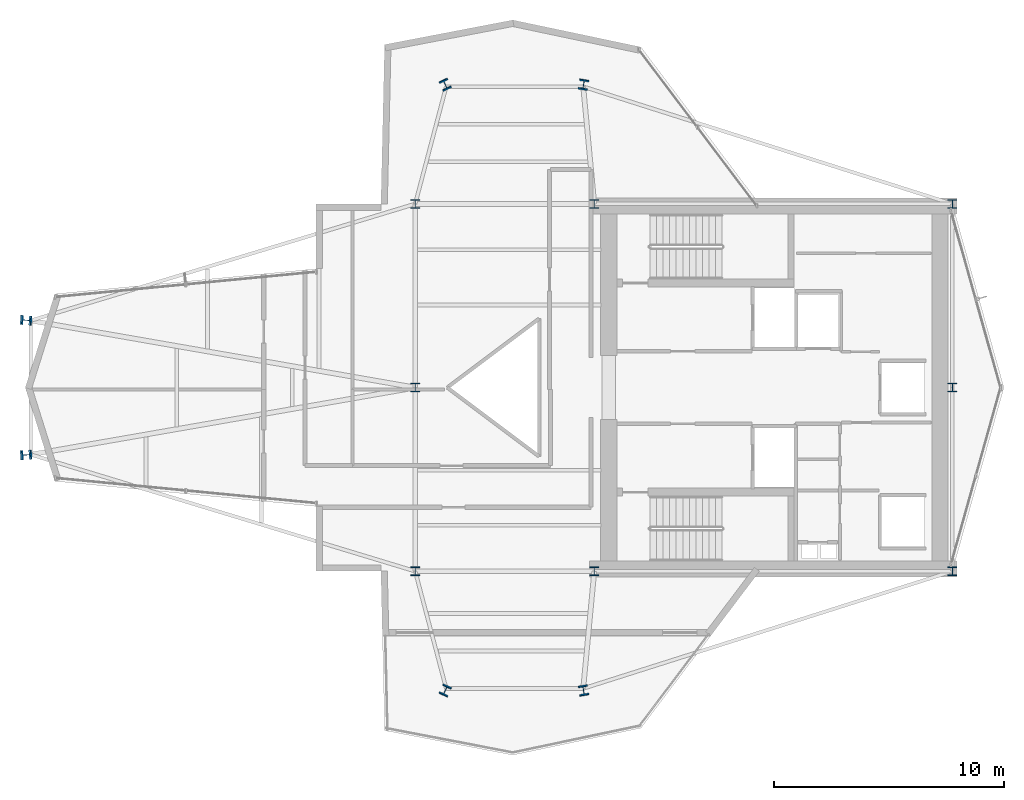
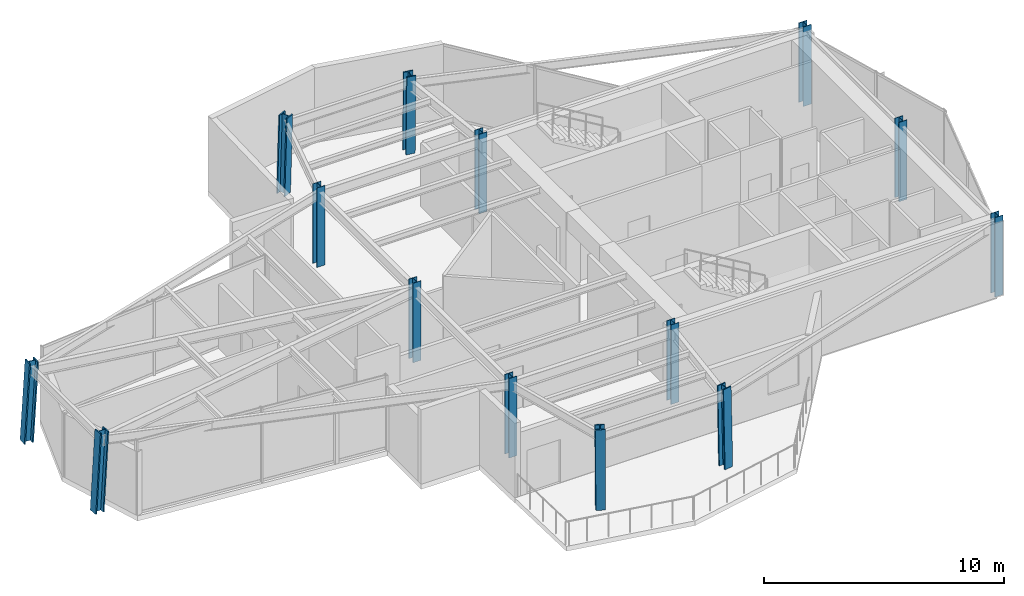
# One storey, part 1 of 21: 14 columns.
"""IFC4 building model written with IfcOpenShell, lengths in metres."""

import ifcopenshell
import ifcopenshell.guid

model = None  # the IFC model being written
_history = None  # IfcOwnerHistory: only IFC2X3 demands one
_inside = {}  # id of a spatial element -> (the spatial element, [elements in it])
_under = {}  # id of a project, library or spatial element -> (it, [spatial elements below it])
_declared = {}  # id of a project -> (the project, [libraries it declares])
_typed = {}  # id of a type object -> (the type object, [elements of that type])
_made_of = {}  # id of a material, layer set ... -> (it, [elements and type objects made of it])


def new_model(schema):
    """Start an empty IFC model of exactly this schema.

    Asked for "IFC4X3", IfcOpenShell would pick the latest addendum, in which some entities
    have other attributes; the version numbers below select the first issue.
    IFC2X3 requires an IfcOwnerHistory on every rooted entity: one is made here for all.
    """
    global model, _history
    if schema == "IFC4X3":
        model = ifcopenshell.file(schema_version=(4, 3, 0, 0))
    else:
        model = ifcopenshell.file(schema=schema)
    _inside.clear()
    _under.clear()
    _declared.clear()
    _typed.clear()
    _made_of.clear()
    _history = None
    if model.schema == "IFC2X3":
        org = make("IfcOrganization", Name="unknown")
        user = make(
            "IfcPersonAndOrganization",
            ThePerson=make("IfcPerson", FamilyName="unknown"),
            TheOrganization=org,
        )
        app = make(
            "IfcApplication",
            ApplicationDeveloper=org,
            Version="unknown",
            ApplicationFullName="unknown",
            ApplicationIdentifier="unknown",
        )
        _history = make(
            "IfcOwnerHistory",
            OwningUser=user,
            OwningApplication=app,
            ChangeAction="ADDED",
            CreationDate=0,
        )
    return model


def make(cls, **values):
    """One entity of the class cls with the attributes given. An attribute that is None is left unset."""
    return model.create_entity(
        cls, **{name: value for name, value in values.items() if value is not None}
    )


def rooted(cls, **values):
    """An entity with a GlobalId (a new one), such as an element, a storey or a relation."""
    return make(cls, GlobalId=ifcopenshell.guid.new(), OwnerHistory=_history, **values)


def si_unit(unit_type, name, prefix=None):
    """IfcSIUnit, for example si_unit("LENGTHUNIT", "METRE", prefix="MILLI")."""
    return make("IfcSIUnit", UnitType=unit_type, Prefix=prefix, Name=name)


def assignment(units):
    """IfcUnitAssignment: the units of a project."""
    return None if units is None else make("IfcUnitAssignment", Units=units)


def point(xyz):
    """IfcCartesianPoint."""
    return None if xyz is None else make("IfcCartesianPoint", Coordinates=xyz)


def direction(xyz):
    """IfcDirection."""
    return None if xyz is None else make("IfcDirection", DirectionRatios=xyz)


def frame(location, z_axis=None, x_axis=None):
    """IfcAxis2Placement3D, a coordinate frame: its origin and axes. An axis left out is left unset."""
    return make(
        "IfcAxis2Placement3D",
        Location=point(location),
        Axis=direction(z_axis),
        RefDirection=direction(x_axis),
    )


def frame_2d(location, x_axis=None):
    """IfcAxis2Placement2D, a coordinate frame in the plane: its origin and x axis."""
    return make(
        "IfcAxis2Placement2D", Location=point(location), RefDirection=direction(x_axis)
    )


def origin():
    """The frame at (0, 0, 0) with its axes left unset."""
    return frame((0.0, 0.0, 0.0))


def origin_2d():
    """The frame at (0, 0) in the plane with its x axis left unset."""
    return frame_2d((0.0, 0.0))


def place(relative_to, where):
    """IfcLocalPlacement: puts the frame where relative to a parent placement (None: the world)."""
    return make(
        "IfcLocalPlacement", PlacementRelTo=relative_to, RelativePlacement=where
    )


def context(
    kind, dimensions, precision=None, world=None, true_north=None, identifier=None
):
    """IfcGeometricRepresentationContext, for example the 3D "Model" context."""
    return make(
        "IfcGeometricRepresentationContext",
        ContextIdentifier=identifier,
        ContextType=kind,
        CoordinateSpaceDimension=dimensions,
        Precision=precision,
        WorldCoordinateSystem=world,
        TrueNorth=true_north,
    )


def subcontext(parent, identifier, kind, view, scale=None):
    """IfcGeometricRepresentationSubContext, for example "Body" below "Model"."""
    return make(
        "IfcGeometricRepresentationSubContext",
        ContextIdentifier=identifier,
        ContextType=kind,
        ParentContext=parent,
        TargetScale=scale,
        TargetView=view,
    )


def project(units=None, contexts=None):
    """IfcProject with its units and contexts."""
    return rooted(
        "IfcProject",
        Name="project",
        RepresentationContexts=contexts,
        UnitsInContext=assignment(units),
    )


def spatial(cls, under=None, at=None, **own):
    """A site, building, storey or space (cls), placed at a placement, below another one or the project."""
    s = rooted(cls, ObjectPlacement=at, **own)
    if under is not None:
        _under.setdefault(under.id(), (under, []))[1].append(s)
    return s


def profile(cls, at=None, kind="AREA", **sizes):
    """A parametric profile (cls). Its sizes go by their IFC names, for example OverallWidth=200.0."""
    return make(cls, ProfileType=kind, Position=at, **sizes)


def i_section(**sizes):
    """IfcIShapeProfileDef."""
    return profile("IfcIShapeProfileDef", **sizes)


def extrude(swept, where, along, depth):
    """IfcExtrudedAreaSolid: the profile swept, set in the frame where, extruded along a direction by depth."""
    return make(
        "IfcExtrudedAreaSolid",
        SweptArea=swept,
        Position=where,
        ExtrudedDirection=direction(along),
        Depth=depth,
    )


def shape(context_of_items, identifier, shape_type, items):
    """IfcShapeRepresentation: the items that make up one representation, for example the "Body"."""
    return make(
        "IfcShapeRepresentation",
        ContextOfItems=context_of_items,
        RepresentationIdentifier=identifier,
        RepresentationType=shape_type,
        Items=items,
    )


def material(Name=None, Category=None):
    """IfcMaterial."""
    return make("IfcMaterial", Name=Name, Category=Category)


def material_profile(
    of_material, cross_section, Name=None, Category=None, Priority=None
):
    """IfcMaterialProfile: a cross section and its material."""
    return make(
        "IfcMaterialProfile",
        Name=Name,
        Material=of_material,
        Profile=cross_section,
        Priority=Priority,
        Category=Category,
    )


def profile_set(profiles, Name=None, composite=None):
    """IfcMaterialProfileSet."""
    return make(
        "IfcMaterialProfileSet",
        Name=Name,
        MaterialProfiles=profiles,
        CompositeProfile=composite,
    )


def made_of(thing, what):
    """Note that an element or type object is made of a material, layer set ...; save() writes the relation."""
    if what is not None:
        _made_of.setdefault(what.id(), (what, []))[1].append(thing)
    return thing


def type_object(cls, material=None, **own):
    """A type object (cls), such as IfcWallType, which elements share."""
    return made_of(rooted(cls, **own), material)


def element(
    cls,
    number,
    at=None,
    inside=None,
    cuts=None,
    type_object=None,
    material=None,
    context=None,
    identifier="Body",
    shape_type=None,
    held_by="IfcProductDefinitionShape",
    body=None,
    shapes=None,
    **own,
):
    """One element of the class cls, such as IfcWall. Its Tag is "e" and its number.

    at: its placement. inside: the storey or other place that contains it. cuts: it is an
    opening in that element (IfcRelVoidsElement). A single representation is given by context,
    identifier, shape_type and body (its items); several are given by shapes. held_by: the class
    of the entity that holds the representations. save() writes the other relations.
    """
    e = rooted(cls, Tag="e%d" % number, ObjectPlacement=at, **own)
    if body is not None:
        shapes = [shape(context, identifier, shape_type, body)]
    if shapes is not None:
        e.Representation = make(held_by, Representations=shapes)
    if inside is not None:
        _inside.setdefault(inside.id(), (inside, []))[1].append(e)
    if cuts is not None:
        rooted(
            "IfcRelVoidsElement", RelatingBuildingElement=cuts, RelatedOpeningElement=e
        )
    if type_object is not None:
        _typed.setdefault(type_object.id(), (type_object, []))[1].append(e)
    return made_of(e, material)


def aggregate(whole, parts):
    """IfcRelAggregates: a whole, such as a stair, and the parts it consists of."""
    return rooted("IfcRelAggregates", RelatingObject=whole, RelatedObjects=parts)


def save(model, path):
    """Write the relations noted so far, then the file.

    IfcRelAggregates (storeys below a building ...), IfcRelContainedInSpatialStructure (elements
    in a storey), IfcRelDefinesByType, IfcRelAssociatesMaterial and IfcRelDeclares: one each for
    every whole, place, type object, material and project.
    """
    for whole, parts in _under.values():
        aggregate(whole, parts)
    for where, things in _inside.values():
        rooted(
            "IfcRelContainedInSpatialStructure",
            RelatedElements=things,
            RelatingStructure=where,
        )
    for kind, things in _typed.values():
        rooted("IfcRelDefinesByType", RelatedObjects=things, RelatingType=kind)
    for what, things in _made_of.values():
        rooted("IfcRelAssociatesMaterial", RelatedObjects=things, RelatingMaterial=what)
    for by, libraries in _declared.values():
        rooted("IfcRelDeclares", RelatingContext=by, RelatedDefinitions=libraries)
    model.write(path)


model = new_model("IFC4")

# Units and contexts
model_context = context("Model", 3, precision=1e-05, world=origin(), true_north=direction((0.0, 1.0)))
body_context = subcontext(model_context, "Body", "Model", "MODEL_VIEW")
ifc_project = project(units=[si_unit("LENGTHUNIT", "METRE"), si_unit("AREAUNIT", "SQUARE_METRE"), si_unit("VOLUMEUNIT", "CUBIC_METRE"), si_unit("PLANEANGLEUNIT", "RADIAN"), si_unit("MASSUNIT", "GRAM", prefix="KILO")], contexts=[model_context])

# Site, building, storey
site_placement = place(None, origin())
site = spatial("IfcSite", under=ifc_project, at=site_placement, CompositionType="ELEMENT")
building_placement = place(site_placement, origin())
building = spatial("IfcBuilding", under=site, at=building_placement, Name="Veymaron Broadcast Tower", CompositionType="ELEMENT")
storey_placement = place(building_placement, frame((0.0, 0.0, 240.449951171875)))
storey = spatial("IfcBuildingStorey", under=building, at=storey_placement, Name="L56", CompositionType="ELEMENT", Elevation=240.449951171875)

# Columns
ifc_material_1 = material(Name="Structural steel ASTM A992 Gr 50", Category="steel")
ifc_material_profile_1 = material_profile(ifc_material_1, i_section(OverallWidth=0.39404296875, OverallDepth=0.375, WebThickness=0.017333984375, FlangeThickness=0.027587890625, at=origin_2d()), Name="W360X216")
ifc_profile_set_1 = profile_set([ifc_material_profile_1], Name="Structural steel ASTM A992 Gr 50")
column_type_1 = type_object("IfcColumnType", Name="COL-HC3", PredefinedType="COLUMN", material=ifc_profile_set_1)
for number, where, z_axis, x_axis, name in (
    (1, (31.199951171875, 16.0, 0.0), (0.0, 0.0, 1.0), (1.0, 0.0, 0.0), "L56 structural hub and core column"),
    (2, (31.199951171875, 24.0, 0.0), (0.0, 0.0, 1.0), (1.0, 0.0, 0.0), "L56 structural hub and core column"),
    (3, (31.199951171875, 32.0, 0.0), (0.0, 0.0, 1.0), (1.0, 0.0, 0.0), "L56 structural hub and core column"),
    (4, (39.0, 16.0, 0.0), (0.0, 0.0, 1.0), (1.0, 0.0, 0.0), "L56 structural hub and core column"),
    (5, (39.0, 32.0, 0.0), (0.0, 0.0, 1.0), (1.0, 0.0, 0.0), "L56 structural hub and core column"),
    (6, (54.60009765625, 16.0, 0.0), (0.0, 0.0, 1.0), (1.0, 0.0, 0.0), "L56 structural hub and core column"),
    (7, (54.60009765625, 24.0, 0.0), (0.0, 0.0, 1.0), (1.0, 0.0, 0.0), "L56 structural hub and core column"),
    (8, (54.60009765625, 32.0, 0.0), (0.0, 0.0, 1.0), (1.0, 0.0, 0.0), "L56 structural hub and core column"),
):
    element("IfcColumn", number, at=place(storey_placement, frame(where, z_axis=z_axis, x_axis=x_axis)), inside=storey, type_object=column_type_1, Name=name, PredefinedType="COLUMN", context=body_context, shape_type="SweptSolid", body=[
        extrude(i_section(OverallWidth=0.39404296875, OverallDepth=0.375, WebThickness=0.017333984375, FlangeThickness=0.027587890625, at=origin_2d()), origin(), (0.0, 0.0, 1.0), 4.0439453125),
    ])
ifc_material_2 = material(Name="Structural steel ASTM A913 Gr 65", Category="steel")
ifc_material_profile_2 = material_profile(ifc_material_2, i_section(OverallWidth=0.412109375, OverallDepth=0.43505859375, WebThickness=0.035888671875, FlangeThickness=0.05810546875, at=origin_2d()), Name="W360X463")
ifc_profile_set_2 = profile_set([ifc_material_profile_2], Name="Structural steel ASTM A913 Gr 65")
column_type_2 = type_object("IfcColumnType", Name="COL-MC3", PredefinedType="COLUMN", material=ifc_profile_set_2)
for number, where, z_axis, x_axis, name in (
    (9, (14.217041015625, 21.06494140625, 0.01611328125), (0.05829477172, 0.004246237274, 0.998290383135), (-0.072648317785, 0.997357619875, 0.0), "L56 Tapered Wing Mega Column"),
    (10, (14.217041015625, 26.93505859375, 0.01611328125), (0.05829477172, -0.004246237274, 0.998290383135), (0.072648317785, 0.997357619875, 0.0), "L56 Tapered Wing Mega Column"),
):
    element("IfcColumn", number, at=place(storey_placement, frame(where, z_axis=z_axis, x_axis=x_axis)), inside=storey, type_object=column_type_2, Name=name, PredefinedType="COLUMN", context=body_context, shape_type="SweptSolid", body=[
        extrude(i_section(OverallWidth=0.412109375, OverallDepth=0.43505859375, WebThickness=0.035888671875, FlangeThickness=0.05810546875, at=origin_2d()), origin(), (0.0, 0.0, 1.0), 4.024658203125),
    ])
column_1_placement = place(storey_placement, frame((32.501953125, 37.2099609375, 0.01611328125), z_axis=(0.011844409997, -0.025389555788, 0.999607463162), x_axis=(0.906238519971, 0.422766773671, 0.0)))
element("IfcColumn", 11, at=column_1_placement, inside=storey, type_object=column_type_2, Name="L56 Tapered Wing Mega Column", PredefinedType="COLUMN", context=body_context, shape_type="SweptSolid", body=[
    extrude(i_section(OverallWidth=0.412109375, OverallDepth=0.43505859375, WebThickness=0.035888671875, FlangeThickness=0.05810546875, at=origin_2d()), origin(), (0.0, 0.0, 1.0), 4.019287109375),
])
column_2_placement = place(storey_placement, frame((38.534912109375, 37.2099609375, 0.01611328125), z_axis=(-0.004191356121, -0.025391113895, 0.99966880709), x_axis=(0.986647914137, -0.162867717884, 0.0)))
element("IfcColumn", 12, at=column_2_placement, inside=storey, type_object=column_type_2, Name="L56 Tapered Wing Mega Column", PredefinedType="COLUMN", context=body_context, shape_type="SweptSolid", body=[
    extrude(i_section(OverallWidth=0.412109375, OverallDepth=0.43505859375, WebThickness=0.035888671875, FlangeThickness=0.05810546875, at=origin_2d()), origin(), (0.0, 0.0, 1.0), 4.01904296875),
])
column_3_placement = place(storey_placement, frame((32.501953125, 10.7900390625, 0.01611328125), z_axis=(0.011844409997, 0.025389555788, 0.999607463162), x_axis=(-0.906238519971, 0.422766773671, 0.0)))
element("IfcColumn", 13, at=column_3_placement, inside=storey, type_object=column_type_2, Name="L56 Tapered Wing Mega Column", PredefinedType="COLUMN", context=body_context, shape_type="SweptSolid", body=[
    extrude(i_section(OverallWidth=0.412109375, OverallDepth=0.43505859375, WebThickness=0.035888671875, FlangeThickness=0.05810546875, at=origin_2d()), origin(), (0.0, 0.0, 1.0), 4.019287109375),
])
column_4_placement = place(storey_placement, frame((38.534912109375, 10.7900390625, 0.01611328125), z_axis=(-0.004191356121, 0.025391113895, 0.99966880709), x_axis=(-0.986647914137, -0.162867717884, 0.0)))
element("IfcColumn", 14, at=column_4_placement, inside=storey, type_object=column_type_2, Name="L56 Tapered Wing Mega Column", PredefinedType="COLUMN", context=body_context, shape_type="SweptSolid", body=[
    extrude(i_section(OverallWidth=0.412109375, OverallDepth=0.43505859375, WebThickness=0.035888671875, FlangeThickness=0.05810546875, at=origin_2d()), origin(), (0.0, 0.0, 1.0), 4.01904296875),
])

save(model, "model.ifc")
